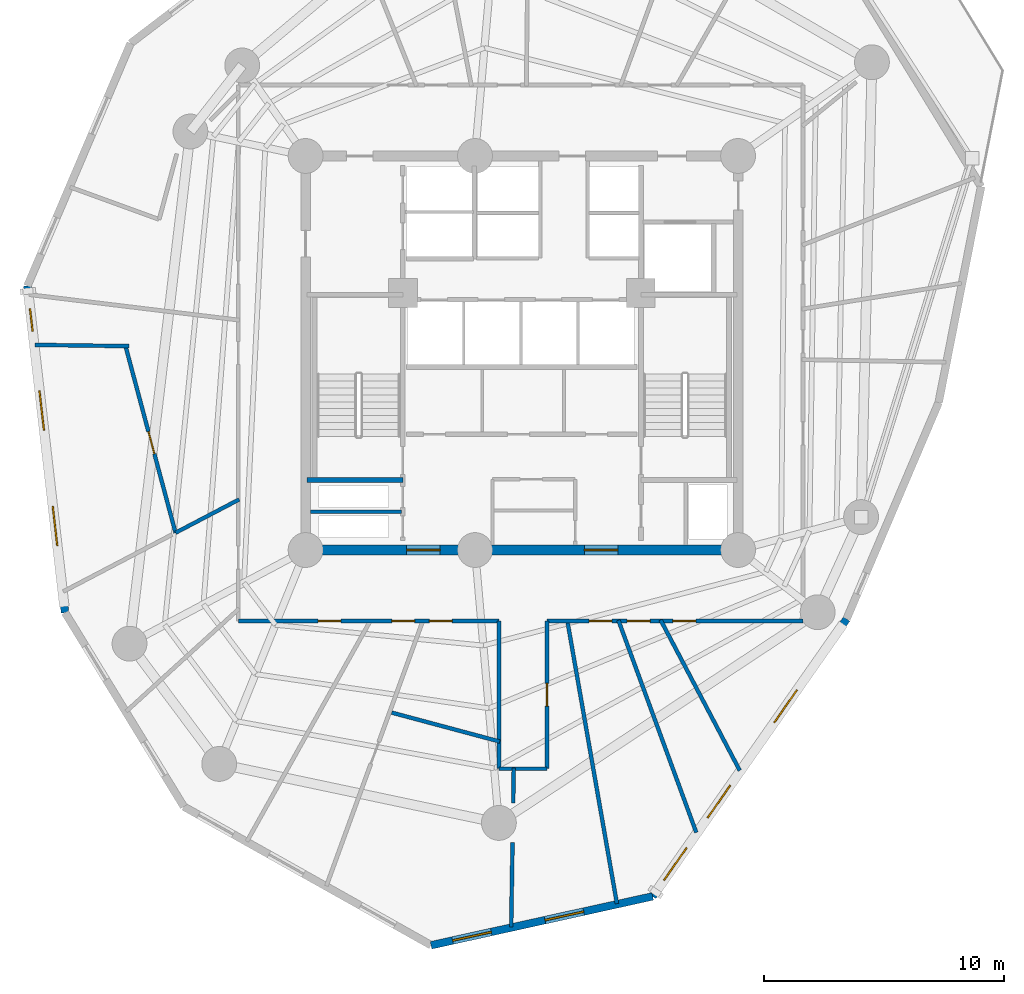
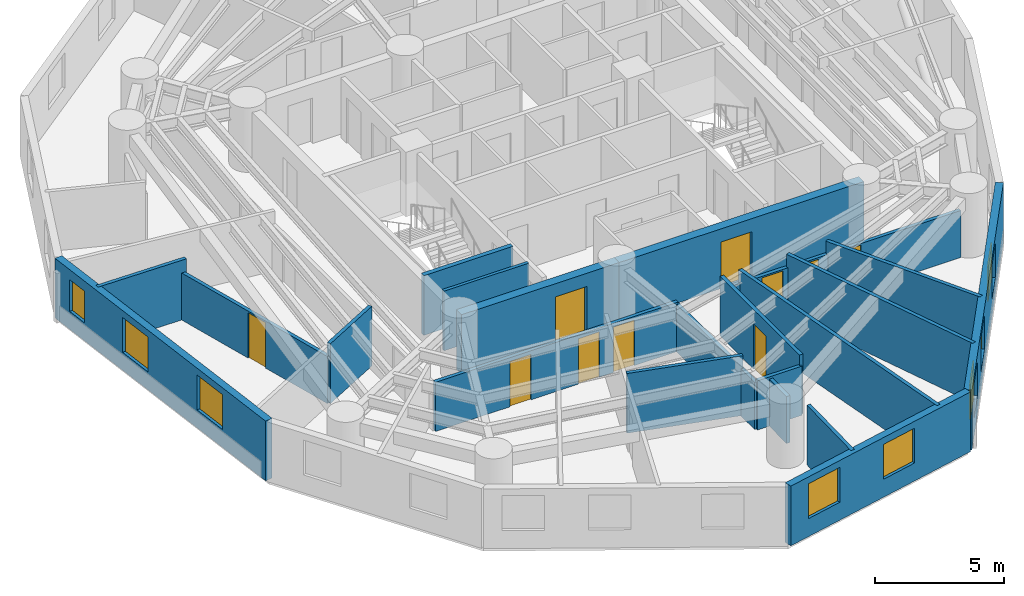
# One storey, part 3 of 9: 21 walls, 10 doors, 8 windows, 18 openings.
"""IFC4 building model written with IfcOpenShell, lengths in metres."""

from ifc_helpers import new_model, si_unit, direction, frame, frame_2d, origin, origin_with_axes, place, context, subcontext, project, spatial, rectangle, extrude, source, transform, mapped, material, layer, layer_set, type_object, element, fill, save


model = new_model("IFC4")

# Units and contexts
model_context = context("Model", 3, precision=1e-05, world=origin(), true_north=direction((0.0, 1.0)))
body_context = subcontext(model_context, "Body", "Model", "MODEL_VIEW")
ifc_project = project(units=[si_unit("LENGTHUNIT", "METRE"), si_unit("AREAUNIT", "SQUARE_METRE"), si_unit("VOLUMEUNIT", "CUBIC_METRE"), si_unit("PLANEANGLEUNIT", "RADIAN"), si_unit("MASSUNIT", "GRAM", prefix="KILO")], contexts=[model_context])

# Site, building, storey
site_placement = place(None, origin())
site = spatial("IfcSite", under=ifc_project, at=site_placement, CompositionType="ELEMENT")
building_placement = place(site_placement, origin())
building = spatial("IfcBuilding", under=site, at=building_placement, Name="Karkom Vertical University and Central Library", CompositionType="ELEMENT")
storey_placement = place(building_placement, frame((0.0, 0.0, 129.75)))
storey = spatial("IfcBuildingStorey", under=building, at=storey_placement, Name="L36", CompositionType="ELEMENT", Elevation=129.75)

# Wall, openings, windows
ifc_material_1 = material(Name="Brick-faced precast concrete C45/55", Category="masonry")
ifc_layer_1 = layer(ifc_material_1, 0.320068359375)
ifc_layer_set_1 = layer_set([ifc_layer_1], Name="Brick-faced precast concrete C45/55")
wall_type_1 = type_object("IfcWallType", Name="ENV-WL-BRK-320", PredefinedType="SOLIDWALL", material=ifc_layer_set_1)
wall_1_placement = place(storey_placement, frame((7.9208984375, 29.293212890625, 0.0), z_axis=(0.0, 0.0, 1.0), x_axis=(0.114427793252, -0.993431567916, 0.0)))
wall_1 = element("IfcWall", 1, at=wall_1_placement, inside=storey, type_object=wall_type_1, Name="Level 36 Brick-Faced Precast Facade Wall 01", PredefinedType="SOLIDWALL", context=body_context, shape_type="SweptSolid", body=[
    extrude(rectangle(XDim=13.68896484375, YDim=0.320068359375, at=frame_2d((6.844482421875, 0.0))), origin(), (0.0, 0.0, 1.0), 2.824951171875),
])
opening_1_placement = place(wall_1_placement, frame((0.9521484375, 0.0, 0.85009765625)))
opening_1 = element("IfcOpeningElement", 2, at=opening_1_placement, cuts=wall_1, Name="Opening WN-12", PredefinedType="OPENING", context=body_context, shape_type="SweptSolid", body=[
    extrude(rectangle(XDim=0.949951171875, YDim=1.5, at=frame_2d((0.47509765625, 0.75))), frame((0.0, 0.169921875, 0.0), z_axis=(0.0, -1.0, 0.0), x_axis=(1.0, 0.0, 0.0)), (0.0, 0.0, 1.0), 0.340087890625),
])
opening_2_placement = place(wall_1_placement, frame((4.393310546875, 0.0, 0.85009765625)))
opening_2 = element("IfcOpeningElement", 3, at=opening_2_placement, cuts=wall_1, Name="Opening WN-06", PredefinedType="OPENING", context=body_context, shape_type="SweptSolid", body=[
    extrude(rectangle(XDim=1.64990234375, YDim=1.64990234375, at=frame_2d((0.824951171875, 0.824951171875))), frame((0.0, 0.169921875, 0.0), z_axis=(0.0, -1.0, 0.0), x_axis=(1.0, 0.0, 0.0)), (0.0, 0.0, 1.0), 0.340087890625),
])
opening_3_placement = place(wall_1_placement, frame((9.23291015625, 0.0, 0.85009765625)))
opening_3 = element("IfcOpeningElement", 4, at=opening_3_placement, cuts=wall_1, Name="Opening WN-06", PredefinedType="OPENING", context=body_context, shape_type="SweptSolid", body=[
    extrude(rectangle(XDim=1.64990234375, YDim=1.64990234375, at=frame_2d((0.824951171875, 0.824951171875))), frame((0.0, 0.169921875, 0.0), z_axis=(0.0, -1.0, 0.0), x_axis=(1.0, 0.0, 0.0)), (0.0, 0.0, 1.0), 0.340087890625),
])
ifc_material_2 = material(Name="Aluminium thermal-break frame with solar-control IGU", Category="aluminium")
window_type_1 = type_object("IfcWindowType", Name="ENV-WIN-WN-06", PartitioningType="SINGLE_PANEL", PredefinedType="WINDOW", material=ifc_material_2)
shared_shape_1 = source(origin_with_axes(), body_context, "Body", "SweptSolid", [
    extrude(rectangle(XDim=1.64990234375, YDim=1.64990234375, at=frame_2d((0.824951171875, 0.824951171875))), frame((0.0, 0.030029296875, 0.0), z_axis=(0.0, -1.0, 0.0), x_axis=(1.0, 0.0, 0.0)), (0.0, 0.0, 1.0), 0.06005859375),
])
window_1_placement = place(opening_2_placement, origin())
window_1 = element("IfcWindow", 5, at=window_1_placement, inside=storey, type_object=window_type_1, Name="Level 36 Punched Window 1.2", OverallHeight=1.64990234375, OverallWidth=1.64990234375, PartitioningType="SINGLE_PANEL", PredefinedType="WINDOW", context=body_context, shape_type="MappedRepresentation", body=[
    mapped(shared_shape_1, transform((0.0, 0.0, 0.0), scale=1.0)),
])
fill(opening_2, window_1)
window_2_placement = place(opening_3_placement, origin())
window_2 = element("IfcWindow", 6, at=window_2_placement, inside=storey, type_object=window_type_1, Name="Level 36 Punched Window 1.3", OverallHeight=1.64990234375, OverallWidth=1.64990234375, PartitioningType="SINGLE_PANEL", PredefinedType="WINDOW", context=body_context, shape_type="MappedRepresentation", body=[
    mapped(shared_shape_1, transform((0.0, 0.0, 0.0), scale=1.0)),
])
fill(opening_3, window_2)
window_type_2 = type_object("IfcWindowType", Name="ENV-WIN-WN-12", PartitioningType="SINGLE_PANEL", PredefinedType="WINDOW", material=ifc_material_2)
shared_shape_2 = source(origin_with_axes(), body_context, "Body", "SweptSolid", [
    extrude(rectangle(XDim=0.949951171875, YDim=1.5, at=frame_2d((0.47509765625, 0.75))), frame((0.0, 0.030029296875, 0.0), z_axis=(0.0, -1.0, 0.0), x_axis=(1.0, 0.0, 0.0)), (0.0, 0.0, 1.0), 0.06005859375),
])
window_3_placement = place(opening_1_placement, origin())
window_3 = element("IfcWindow", 7, at=window_3_placement, inside=storey, type_object=window_type_2, Name="Level 36 Punched Window 1.1", OverallHeight=1.5, OverallWidth=0.949951171875, PartitioningType="SINGLE_PANEL", PredefinedType="WINDOW", context=body_context, shape_type="MappedRepresentation", body=[
    mapped(shared_shape_2, transform((0.0, 0.0, 0.0), scale=1.0)),
])
fill(opening_1, window_3)

wall_2_placement = place(storey_placement, frame((24.720703125, 1.85009765625, 0.0), z_axis=(0.0, 0.0, 1.0), x_axis=(0.976498022173, 0.215526361942, 0.0)))
wall_2 = element("IfcWall", 8, at=wall_2_placement, inside=storey, type_object=wall_type_1, Name="Level 36 Brick-Faced Precast Facade Wall 04", PredefinedType="SOLIDWALL", context=body_context, shape_type="SweptSolid", body=[
    extrude(rectangle(XDim=9.446044921875, YDim=0.320068359375, at=frame_2d((4.72314453125, 0.0))), origin(), (0.0, 0.0, 1.0), 2.824951171875),
])
opening_4_placement = place(wall_2_placement, frame((0.919921875, 0.0, 0.85009765625)))
opening_4 = element("IfcOpeningElement", 9, at=opening_4_placement, cuts=wall_2, Name="Opening WN-06", PredefinedType="OPENING", context=body_context, shape_type="SweptSolid", body=[
    extrude(rectangle(XDim=1.64990234375, YDim=1.64990234375, at=frame_2d((0.824951171875, 0.824951171875))), frame((0.0, 0.169921875, 0.0), z_axis=(0.0, -1.0, 0.0), x_axis=(1.0, 0.0, 0.0)), (0.0, 0.0, 1.0), 0.340087890625),
])
opening_5_placement = place(wall_2_placement, frame((4.85498046875, 0.0, 0.85009765625)))
opening_5 = element("IfcOpeningElement", 10, at=opening_5_placement, cuts=wall_2, Name="Opening WN-06", PredefinedType="OPENING", context=body_context, shape_type="SweptSolid", body=[
    extrude(rectangle(XDim=1.64990234375, YDim=1.64990234375, at=frame_2d((0.824951171875, 0.824951171875))), frame((0.0, 0.169921875, 0.0), z_axis=(0.0, -1.0, 0.0), x_axis=(1.0, 0.0, 0.0)), (0.0, 0.0, 1.0), 0.340087890625),
])
window_4_placement = place(opening_4_placement, origin())
window_4 = element("IfcWindow", 11, at=window_4_placement, inside=storey, type_object=window_type_1, Name="Level 36 Punched Window 4.1", OverallHeight=1.64990234375, OverallWidth=1.64990234375, PartitioningType="SINGLE_PANEL", PredefinedType="WINDOW", context=body_context, shape_type="MappedRepresentation", body=[
    mapped(shared_shape_1, transform((0.0, 0.0, 0.0), scale=1.0)),
])
fill(opening_4, window_4)
window_5_placement = place(opening_5_placement, origin())
window_5 = element("IfcWindow", 12, at=window_5_placement, inside=storey, type_object=window_type_1, Name="Level 36 Punched Window 4.2", OverallHeight=1.64990234375, OverallWidth=1.64990234375, PartitioningType="SINGLE_PANEL", PredefinedType="WINDOW", context=body_context, shape_type="MappedRepresentation", body=[
    mapped(shared_shape_1, transform((0.0, 0.0, 0.0), scale=1.0)),
])
fill(opening_5, window_5)

wall_3_placement = place(storey_placement, frame((33.94482421875, 3.885986328125, 0.0), z_axis=(0.0, 0.0, 1.0), x_axis=(0.573079618635, 0.819499695366, 0.0)))
wall_3 = element("IfcWall", 13, at=wall_3_placement, inside=storey, type_object=wall_type_1, Name="Level 36 Brick-Faced Precast Facade Wall 05", PredefinedType="SOLIDWALL", context=body_context, shape_type="SweptSolid", body=[
    extrude(rectangle(XDim=14.08740234375, YDim=0.320068359375, at=frame_2d((7.043701171875, 0.0))), origin(), (0.0, 0.0, 1.0), 2.824951171875),
])
opening_6_placement = place(wall_3_placement, frame((0.82421875, 0.0, 0.85009765625)))
opening_6 = element("IfcOpeningElement", 14, at=opening_6_placement, cuts=wall_3, Name="Opening WN-06", PredefinedType="OPENING", context=body_context, shape_type="SweptSolid", body=[
    extrude(rectangle(XDim=1.64990234375, YDim=1.64990234375, at=frame_2d((0.824951171875, 0.824951171875))), frame((0.0, 0.169921875, 0.0), z_axis=(0.0, -1.0, 0.0), x_axis=(1.0, 0.0, 0.0)), (0.0, 0.0, 1.0), 0.340087890625),
])
opening_7_placement = place(wall_3_placement, frame((3.98779296875, 0.0, 0.85009765625)))
opening_7 = element("IfcOpeningElement", 15, at=opening_7_placement, cuts=wall_3, Name="Opening WN-06", PredefinedType="OPENING", context=body_context, shape_type="SweptSolid", body=[
    extrude(rectangle(XDim=1.64990234375, YDim=1.64990234375, at=frame_2d((0.824951171875, 0.824951171875))), frame((0.0, 0.169921875, 0.0), z_axis=(0.0, -1.0, 0.0), x_axis=(1.0, 0.0, 0.0)), (0.0, 0.0, 1.0), 0.340087890625),
])
opening_8_placement = place(wall_3_placement, frame((8.8271484375, 0.0, 0.85009765625)))
opening_8 = element("IfcOpeningElement", 16, at=opening_8_placement, cuts=wall_3, Name="Opening WN-06", PredefinedType="OPENING", context=body_context, shape_type="SweptSolid", body=[
    extrude(rectangle(XDim=1.64990234375, YDim=1.64990234375, at=frame_2d((0.824951171875, 0.824951171875))), frame((0.0, 0.169921875, 0.0), z_axis=(0.0, -1.0, 0.0), x_axis=(1.0, 0.0, 0.0)), (0.0, 0.0, 1.0), 0.340087890625),
])
window_6_placement = place(opening_6_placement, origin())
window_6 = element("IfcWindow", 17, at=window_6_placement, inside=storey, type_object=window_type_1, Name="Level 36 Punched Window 5.1", OverallHeight=1.64990234375, OverallWidth=1.64990234375, PartitioningType="SINGLE_PANEL", PredefinedType="WINDOW", context=body_context, shape_type="MappedRepresentation", body=[
    mapped(shared_shape_1, transform((0.0, 0.0, 0.0), scale=1.0)),
])
fill(opening_6, window_6)
window_7_placement = place(opening_7_placement, origin())
window_7 = element("IfcWindow", 18, at=window_7_placement, inside=storey, type_object=window_type_1, Name="Level 36 Punched Window 5.2", OverallHeight=1.64990234375, OverallWidth=1.64990234375, PartitioningType="SINGLE_PANEL", PredefinedType="WINDOW", context=body_context, shape_type="MappedRepresentation", body=[
    mapped(shared_shape_1, transform((0.0, 0.0, 0.0), scale=1.0)),
])
fill(opening_7, window_7)
window_8_placement = place(opening_8_placement, origin())
window_8 = element("IfcWindow", 19, at=window_8_placement, inside=storey, type_object=window_type_1, Name="Level 36 Punched Window 5.3", OverallHeight=1.64990234375, OverallWidth=1.64990234375, PartitioningType="SINGLE_PANEL", PredefinedType="WINDOW", context=body_context, shape_type="MappedRepresentation", body=[
    mapped(shared_shape_1, transform((0.0, 0.0, 0.0), scale=1.0)),
])
fill(opening_8, window_8)

# Wall
ifc_material_3 = material(Name="Insulated metal-stud drywall 160mm", Category="gypsum")
ifc_layer_2 = layer(ifc_material_3, 0.159912109375)
ifc_layer_set_2 = layer_set([ifc_layer_2], Name="Insulated metal-stud drywall 160mm")
wall_type_2 = type_object("IfcWallType", Name="INT-WL-COR-160", PredefinedType="PARTITIONING", material=ifc_layer_set_2)
wall_4_placement = place(storey_placement, frame((30.38916015625, 15.37939453125, 0.0), z_axis=(0.0, 0.0, 1.0), x_axis=(0.172707184879, -0.984973211966, 0.0)))
element("IfcWall", 20, at=wall_4_placement, inside=storey, type_object=wall_type_2, Name="Level 36 Interior Partition Wall L36-PW-012", PredefinedType="PARTITIONING", context=body_context, shape_type="SweptSolid", body=[
    extrude(rectangle(XDim=11.97607421875, YDim=0.159912109375, at=frame_2d((5.988037109375, 0.0))), origin(), (0.0, 0.0, 1.0), 2.824951171875),
])

# Wall, openings, doors
wall_5_placement = place(storey_placement, frame((27.550048828125, 15.35009765625, 0.0), z_axis=(0.0, 0.0, 1.0), x_axis=(-1.0, 0.0, 0.0)))
wall_5 = element("IfcWall", 21, at=wall_5_placement, inside=storey, type_object=wall_type_2, Name="Level 36 Interior Partition Wall L36-CORW-CW-001", PredefinedType="PARTITIONING", context=body_context, shape_type="SweptSolid", body=[
    extrude(rectangle(XDim=10.85009765625, YDim=0.159912109375, at=frame_2d((5.425048828125, 0.0))), origin(), (0.0, 0.0, 1.0), 2.324951171875),
])
opening_9_placement = place(wall_5_placement, frame((6.577392578125, 0.0, 0.0)))
opening_9 = element("IfcOpeningElement", 22, at=opening_9_placement, cuts=wall_5, Name="Opening D-RM1", PredefinedType="OPENING", context=body_context, shape_type="SweptSolid", body=[
    extrude(rectangle(XDim=0.949951171875, YDim=2.14990234375, at=frame_2d((0.47509765625, 1.074951171875))), frame((0.0, 0.08984375, 0.0), z_axis=(0.0, -1.0, 0.0), x_axis=(1.0, 0.0, 0.0)), (0.0, 0.0, 1.0), 0.179931640625),
])
opening_10_placement = place(wall_5_placement, frame((3.512451171875, 0.0, 0.0)))
opening_10 = element("IfcOpeningElement", 23, at=opening_10_placement, cuts=wall_5, Name="Opening D-RM1", PredefinedType="OPENING", context=body_context, shape_type="SweptSolid", body=[
    extrude(rectangle(XDim=0.949951171875, YDim=2.14990234375, at=frame_2d((0.47509765625, 1.074951171875))), frame((0.0, 0.08984375, 0.0), z_axis=(0.0, -1.0, 0.0), x_axis=(1.0, 0.0, 0.0)), (0.0, 0.0, 1.0), 0.179931640625),
])
opening_11_placement = place(wall_5_placement, frame((1.947509765625, 0.0, 0.0)))
opening_11 = element("IfcOpeningElement", 24, at=opening_11_placement, cuts=wall_5, Name="Opening D-RM1", PredefinedType="OPENING", context=body_context, shape_type="SweptSolid", body=[
    extrude(rectangle(XDim=0.949951171875, YDim=2.14990234375, at=frame_2d((0.47509765625, 1.074951171875))), frame((0.0, 0.08984375, 0.0), z_axis=(0.0, -1.0, 0.0), x_axis=(1.0, 0.0, 0.0)), (0.0, 0.0, 1.0), 0.179931640625),
])
ifc_material_4 = material(Name="Solid-core oak veneer door", Category="wood")
door_type_1 = type_object("IfcDoorType", Name="INT-DR-RM1", OperationType="NOTDEFINED", PredefinedType="DOOR", material=ifc_material_4)
shared_shape_3 = source(origin_with_axes(), body_context, "Body", "SweptSolid", [
    extrude(rectangle(XDim=0.949951171875, YDim=2.14990234375, at=frame_2d((0.47509765625, 1.074951171875))), frame((0.0, 0.02490234375, 0.0), z_axis=(0.0, -1.0, 0.0), x_axis=(1.0, 0.0, 0.0)), (0.0, 0.0, 1.0), 0.050048828125),
])
door_1_placement = place(opening_9_placement, origin())
door_1 = element("IfcDoor", 25, at=door_1_placement, inside=storey, type_object=door_type_1, Name="Level 36 Room Entry Door 030", OperationType="SINGLE_SWING_RIGHT", OverallHeight=2.14990234375, OverallWidth=0.949951171875, PredefinedType="DOOR", context=body_context, shape_type="MappedRepresentation", body=[
    mapped(shared_shape_3, transform((0.0, 0.0, 0.0), scale=1.0)),
])
fill(opening_9, door_1)
door_2_placement = place(opening_10_placement, origin())
door_2 = element("IfcDoor", 26, at=door_2_placement, inside=storey, type_object=door_type_1, Name="Level 36 Room Entry Door 040", OperationType="SINGLE_SWING_LEFT", OverallHeight=2.14990234375, OverallWidth=0.949951171875, PredefinedType="DOOR", context=body_context, shape_type="MappedRepresentation", body=[
    mapped(shared_shape_3, transform((0.0, 0.0, 0.0), scale=1.0)),
])
fill(opening_10, door_2)
door_3_placement = place(opening_11_placement, origin())
door_3 = element("IfcDoor", 27, at=door_3_placement, inside=storey, type_object=door_type_1, Name="Level 36 Room Entry Door 050", OperationType="SINGLE_SWING_RIGHT", OverallHeight=2.14990234375, OverallWidth=0.949951171875, PredefinedType="DOOR", context=body_context, shape_type="MappedRepresentation", body=[
    mapped(shared_shape_3, transform((0.0, 0.0, 0.0), scale=1.0)),
])
fill(opening_11, door_3)

wall_6_placement = place(storey_placement, frame((40.199951171875, 15.35009765625, 0.0), z_axis=(0.0, 0.0, 1.0), x_axis=(-1.0, 0.0, 0.0)))
wall_6 = element("IfcWall", 28, at=wall_6_placement, inside=storey, type_object=wall_type_2, Name="Level 36 Interior Partition Wall L36-CORW-CW-005", PredefinedType="PARTITIONING", context=body_context, shape_type="SweptSolid", body=[
    extrude(rectangle(XDim=10.64990234375, YDim=0.159912109375, at=frame_2d((5.324951171875, 0.0))), origin(), (0.0, 0.0, 1.0), 2.22509765625),
])
opening_12_placement = place(wall_6_placement, frame((7.952392578125, 0.0, 0.0)))
opening_12 = element("IfcOpeningElement", 29, at=opening_12_placement, cuts=wall_6, Name="Opening D-RM1", PredefinedType="OPENING", context=body_context, shape_type="SweptSolid", body=[
    extrude(rectangle(XDim=0.949951171875, YDim=2.14990234375, at=frame_2d((0.47509765625, 1.074951171875))), frame((0.0, 0.08984375, 0.0), z_axis=(0.0, -1.0, 0.0), x_axis=(1.0, 0.0, 0.0)), (0.0, 0.0, 1.0), 0.179931640625),
])
opening_13_placement = place(wall_6_placement, frame((6.357421875, 0.0, 0.0)))
opening_13 = element("IfcOpeningElement", 30, at=opening_13_placement, cuts=wall_6, Name="Opening FD-RM2", PredefinedType="OPENING", context=body_context, shape_type="SweptSolid", body=[
    extrude(rectangle(XDim=0.9599609375, YDim=2.14990234375, at=frame_2d((0.47998046875, 1.074951171875))), frame((0.0, 0.08984375, 0.0), z_axis=(0.0, -1.0, 0.0), x_axis=(1.0, 0.0, 0.0)), (0.0, 0.0, 1.0), 0.179931640625),
])
opening_14_placement = place(wall_6_placement, frame((4.4599609375, 0.0, 0.0)))
opening_14 = element("IfcOpeningElement", 31, at=opening_14_placement, cuts=wall_6, Name="Opening D-RM1", PredefinedType="OPENING", context=body_context, shape_type="SweptSolid", body=[
    extrude(rectangle(XDim=0.949951171875, YDim=2.14990234375, at=frame_2d((0.47509765625, 1.074951171875))), frame((0.0, 0.08984375, 0.0), z_axis=(0.0, -1.0, 0.0), x_axis=(1.0, 0.0, 0.0)), (0.0, 0.0, 1.0), 0.179931640625),
])
ifc_material_5 = material(Name="Fire-rated oak veneer door", Category="wood")
door_type_2 = type_object("IfcDoorType", Name="INT-DR-FRM2", OperationType="NOTDEFINED", PredefinedType="DOOR", material=ifc_material_5)
shared_shape_4 = source(origin_with_axes(), body_context, "Body", "SweptSolid", [
    extrude(rectangle(XDim=0.9599609375, YDim=2.14990234375, at=frame_2d((0.47998046875, 1.074951171875))), frame((0.0, 0.02490234375, 0.0), z_axis=(0.0, -1.0, 0.0), x_axis=(1.0, 0.0, 0.0)), (0.0, 0.0, 1.0), 0.050048828125),
])
door_4_placement = place(opening_13_placement, origin())
door_4 = element("IfcDoor", 32, at=door_4_placement, inside=storey, type_object=door_type_2, Name="Level 36 Room Entry Door 090", OperationType="SINGLE_SWING_LEFT", OverallHeight=2.14990234375, OverallWidth=0.9599609375, PredefinedType="DOOR", context=body_context, shape_type="MappedRepresentation", body=[
    mapped(shared_shape_4, transform((0.0, 0.0, 0.0), scale=1.0)),
])
fill(opening_13, door_4)
door_5_placement = place(opening_12_placement, origin())
door_5 = element("IfcDoor", 33, at=door_5_placement, inside=storey, type_object=door_type_1, Name="Level 36 Room Entry Door 080", OperationType="SINGLE_SWING_RIGHT", OverallHeight=2.14990234375, OverallWidth=0.949951171875, PredefinedType="DOOR", context=body_context, shape_type="MappedRepresentation", body=[
    mapped(shared_shape_3, transform((0.0, 0.0, 0.0), scale=1.0)),
])
fill(opening_12, door_5)
door_6_placement = place(opening_14_placement, origin())
door_6 = element("IfcDoor", 34, at=door_6_placement, inside=storey, type_object=door_type_1, Name="Level 36 Room Entry Door 100", OperationType="SINGLE_SWING_RIGHT", OverallHeight=2.14990234375, OverallWidth=0.949951171875, PredefinedType="DOOR", context=body_context, shape_type="MappedRepresentation", body=[
    mapped(shared_shape_3, transform((0.0, 0.0, 0.0), scale=1.0)),
])
fill(opening_14, door_6)

# Wall
wall_7_placement = place(storey_placement, frame((32.517578125, 15.378173828125, 0.0), z_axis=(0.0, 0.0, 1.0), x_axis=(0.344526792854, -0.938776485115, 0.0)))
element("IfcWall", 35, at=wall_7_placement, inside=storey, type_object=wall_type_2, Name="Level 36 Interior Partition Wall L36-PW-013", PredefinedType="PARTITIONING", context=body_context, shape_type="SweptSolid", body=[
    extrude(rectangle(XDim=9.409912109375, YDim=0.159912109375, at=frame_2d((4.705078125, 0.0))), origin(), (0.0, 0.0, 1.0), 2.824951171875),
])

# Wall, opening, door
wall_8_placement = place(storey_placement, frame((14.087646484375, 19.017822265625, 0.0), z_axis=(0.0, 0.0, 1.0), x_axis=(-0.258806942907, 0.965929068981, 0.0)))
wall_8 = element("IfcWall", 36, at=wall_8_placement, inside=storey, type_object=wall_type_2, Name="Level 36 Interior Partition Wall L36-PW-001", PredefinedType="PARTITIONING", context=body_context, shape_type="SweptSolid", body=[
    extrude(rectangle(XDim=7.979736328125, YDim=0.159912109375, at=frame_2d((3.98974609375, 0.0))), origin(), (0.0, 0.0, 1.0), 2.22509765625),
])
opening_15_placement = place(wall_8_placement, frame((3.39794921875, 0.0, 0.0)))
opening_15 = element("IfcOpeningElement", 37, at=opening_15_placement, cuts=wall_8, Name="Opening FD-RM2", PredefinedType="OPENING", context=body_context, shape_type="SweptSolid", body=[
    extrude(rectangle(XDim=0.9599609375, YDim=2.14990234375, at=frame_2d((0.47998046875, 1.074951171875))), frame((0.0, 0.08984375, 0.0), z_axis=(0.0, -1.0, 0.0), x_axis=(1.0, 0.0, 0.0)), (0.0, 0.0, 1.0), 0.179931640625),
])
door_7_placement = place(opening_15_placement, origin())
door_7 = element("IfcDoor", 38, at=door_7_placement, inside=storey, type_object=door_type_2, Name="Level 36 Room Entry Door 010", OperationType="SINGLE_SWING_RIGHT", OverallHeight=2.14990234375, OverallWidth=0.9599609375, PredefinedType="DOOR", context=body_context, shape_type="MappedRepresentation", body=[
    mapped(shared_shape_4, transform((0.0, 0.0, 0.0), scale=1.0)),
])
fill(opening_15, door_7)

# Wall
wall_9_placement = place(storey_placement, frame((34.27490234375, 15.389892578125, 0.0), z_axis=(0.0, 0.0, 1.0), x_axis=(0.465427973784, -0.885085759246, 0.0)))
element("IfcWall", 39, at=wall_9_placement, inside=storey, type_object=wall_type_2, Name="Level 36 Interior Partition Wall L36-PW-014", PredefinedType="PARTITIONING", context=body_context, shape_type="SweptSolid", body=[
    extrude(rectangle(XDim=7.078369140625, YDim=0.159912109375, at=frame_2d((3.5390625, 0.0))), origin(), (0.0, 0.0, 1.0), 2.824951171875),
])

# Wall, opening, door
wall_10_placement = place(storey_placement, frame((29.550048828125, 15.35009765625, 0.0), z_axis=(0.0, 0.0, 1.0), x_axis=(0.0, -1.0, 0.0)))
wall_10 = element("IfcWall", 40, at=wall_10_placement, inside=storey, type_object=wall_type_2, Name="Level 36 Interior Partition Wall L36-CORW-CW-006", PredefinedType="PARTITIONING", context=body_context, shape_type="SweptSolid", body=[
    extrude(rectangle(XDim=6.150146484375, YDim=0.159912109375, at=frame_2d((3.0751953125, 0.0))), origin(), (0.0, 0.0, 1.0), 2.824951171875),
])
opening_16_placement = place(wall_10_placement, frame((2.60009765625, 0.0, 0.0)))
opening_16 = element("IfcOpeningElement", 41, at=opening_16_placement, cuts=wall_10, Name="Opening D-RM1", PredefinedType="OPENING", context=body_context, shape_type="SweptSolid", body=[
    extrude(rectangle(XDim=0.949951171875, YDim=2.14990234375, at=frame_2d((0.47509765625, 1.074951171875))), frame((0.0, 0.08984375, 0.0), z_axis=(0.0, -1.0, 0.0), x_axis=(1.0, 0.0, 0.0)), (0.0, 0.0, 1.0), 0.179931640625),
])
door_8_placement = place(opening_16_placement, origin())
door_8 = element("IfcDoor", 42, at=door_8_placement, inside=storey, type_object=door_type_1, Name="Level 36 Room Entry Door 070", OperationType="SINGLE_SWING_LEFT", OverallHeight=2.14990234375, OverallWidth=0.949951171875, PredefinedType="DOOR", context=body_context, shape_type="MappedRepresentation", body=[
    mapped(shared_shape_3, transform((0.0, 0.0, 0.0), scale=1.0)),
])
fill(opening_16, door_8)

# Walls
wall_11_placement = place(storey_placement, frame((27.550048828125, 9.199951171875, 0.0), z_axis=(0.0, 0.0, 1.0), x_axis=(0.0, 1.0, 0.0)))
element("IfcWall", 43, at=wall_11_placement, inside=storey, type_object=wall_type_2, Name="Level 36 Interior Partition Wall L36-CORW-CW-008", PredefinedType="PARTITIONING", context=body_context, shape_type="SweptSolid", body=[
    extrude(rectangle(XDim=6.150146484375, YDim=0.159912109375, at=frame_2d((3.0751953125, 0.0))), origin(), (0.0, 0.0, 1.0), 2.22509765625),
])
wall_12_placement = place(storey_placement, frame((27.5791015625, 10.32958984375, 0.0), z_axis=(0.0, 0.0, 1.0), x_axis=(-0.965933068413, 0.258792015614, 0.0)))
element("IfcWall", 44, at=wall_12_placement, inside=storey, type_object=wall_type_2, Name="Level 36 Interior Partition Wall L36-PW-009", PredefinedType="PARTITIONING", context=body_context, shape_type="SweptSolid", body=[
    extrude(rectangle(XDim=4.65478515625, YDim=0.159912109375, at=frame_2d((2.327392578125, 0.0))), origin(), (0.0, 0.0, 1.0), 2.824951171875),
])
wall_13_placement = place(storey_placement, frame((12.158935546875, 26.784423828125, 0.0), z_axis=(0.0, 0.0, 1.0), x_axis=(-0.999905743527, 0.013729678119, 0.0)))
element("IfcWall", 45, at=wall_13_placement, inside=storey, type_object=wall_type_2, Name="Level 36 Interior Partition Wall L36-PW-002", PredefinedType="PARTITIONING", context=body_context, shape_type="SweptSolid", body=[
    extrude(rectangle(XDim=3.929931640625, YDim=0.159912109375, at=frame_2d((1.96484375, 0.0))), origin(), (0.0, 0.0, 1.0), 2.824951171875),
])
wall_14_placement = place(storey_placement, frame((28.112548828125, 6.123046875, 0.0), z_axis=(0.0, 0.0, 1.0), x_axis=(-0.01606749079, -0.999870909538, 0.0)))
element("IfcWall", 46, at=wall_14_placement, inside=storey, type_object=wall_type_2, Name="Level 36 Interior Partition Wall L36-PW-011", PredefinedType="PARTITIONING", context=body_context, shape_type="SweptSolid", body=[
    extrude(rectangle(XDim=3.510009765625, YDim=0.159912109375, at=frame_2d((1.7548828125, 0.0))), origin(), (0.0, 0.0, 1.0), 2.824951171875),
])
wall_15_placement = place(storey_placement, frame((16.739990234375, 20.4072265625, 0.0), z_axis=(0.0, 0.0, 1.0), x_axis=(-0.885820363554, -0.464028321887, 0.0)))
element("IfcWall", 47, at=wall_15_placement, inside=storey, type_object=wall_type_2, Name="Level 36 Interior Partition Wall L36-PW-003", PredefinedType="PARTITIONING", context=body_context, shape_type="SweptSolid", body=[
    extrude(rectangle(XDim=2.994140625, YDim=0.159912109375, at=frame_2d((1.4970703125, 0.0))), origin(), (0.0, 0.0, 1.0), 2.824951171875),
])
wall_16_placement = place(storey_placement, frame((29.550048828125, 9.199951171875, 0.0), z_axis=(0.0, 0.0, 1.0), x_axis=(-1.0, 0.0, 0.0)))
element("IfcWall", 48, at=wall_16_placement, inside=storey, type_object=wall_type_2, Name="Level 36 Interior Partition Wall L36-CORW-CW-007", PredefinedType="PARTITIONING", context=body_context, shape_type="SweptSolid", body=[
    extrude(rectangle(XDim=2.0, YDim=0.159912109375, at=frame_2d((1.0, 0.0))), origin(), (0.0, 0.0, 1.0), 2.324951171875),
])
wall_17_placement = place(storey_placement, frame((28.16259765625, 9.22998046875, 0.0), z_axis=(0.0, 0.0, 1.0), x_axis=(-0.016140350208, -0.999869736063, 0.0)))
element("IfcWall", 49, at=wall_17_placement, inside=storey, type_object=wall_type_2, Name="Level 36 Interior Partition Wall L36-PW-010", PredefinedType="PARTITIONING", context=body_context, shape_type="SweptSolid", body=[
    extrude(rectangle(XDim=1.46728515625, YDim=0.159912109375, at=frame_2d((0.733642578125, 0.0))), origin(), (0.0, 0.0, 1.0), 2.22509765625),
])
ifc_material_6 = material(Name="Metal-stud gypsum partition 140mm", Category="gypsum")
ifc_layer_3 = layer(ifc_material_6, 0.139892578125)
ifc_layer_set_3 = layer_set([ifc_layer_3], Name="Metal-stud gypsum partition 140mm")
wall_type_3 = type_object("IfcWallType", Name="INT-WL-SUB-140H", PredefinedType="PARTITIONING", material=ifc_layer_set_3)
wall_18_placement = place(storey_placement, frame((19.70703125, 19.889892578125, 0.0), z_axis=(0.0, 0.0, 1.0), x_axis=(1.0, 0.0, 0.0)))
element("IfcWall", 50, at=wall_18_placement, inside=storey, type_object=wall_type_3, Name="Level 36 Interior Partition Wall L36-CW-RIS-W", PredefinedType="PARTITIONING", context=body_context, shape_type="SweptSolid", body=[
    extrude(rectangle(XDim=3.789794921875, YDim=0.139892578125, at=frame_2d((1.89501953125, 0.0))), origin(), (0.0, 0.0, 1.0), 2.824951171875),
])

# Wall, opening, door
ifc_material_7 = material(Name="Concrete C50/60", Category="concrete")
ifc_layer_4 = layer(ifc_material_7, 0.39990234375)
ifc_layer_set_4 = layer_set([ifc_layer_4], Name="Concrete C50/60")
wall_type_4 = type_object("IfcWallType", Name="STR-WL-CW-400", PredefinedType="SHEAR", material=ifc_layer_set_4)
wall_19_placement = place(storey_placement, frame((19.5, 18.300048828125, 0.0), z_axis=(0.0, 0.0, 1.0), x_axis=(1.0, 0.0, 0.0)))
wall_19 = element("IfcWall", 51, at=wall_19_placement, inside=storey, type_object=wall_type_4, Name="Level 36 Central Core Shear Wall SW1", PredefinedType="SHEAR", context=body_context, shape_type="SweptSolid", body=[
    extrude(rectangle(XDim=7.050048828125, YDim=0.39990234375, at=frame_2d((3.52490234375, 0.0))), origin(), (0.0, 0.0, 1.0), 2.824951171875),
])
opening_17_placement = place(wall_19_placement, frame((4.199951171875, 0.0, 0.0)))
opening_17 = element("IfcOpeningElement", 52, at=opening_17_placement, cuts=wall_19, Name="Opening FD-CLB", PredefinedType="OPENING", context=body_context, shape_type="SweptSolid", body=[
    extrude(rectangle(XDim=1.39990234375, YDim=2.199951171875, at=frame_2d((0.699951171875, 1.10009765625))), frame((0.0, 0.2099609375, 0.0), z_axis=(0.0, -1.0, 0.0), x_axis=(1.0, 0.0, 0.0)), (0.0, 0.0, 1.0), 0.419921875),
])
ifc_material_8 = material(Name="Painted steel fire door", Category="steel")
door_type_3 = type_object("IfcDoorType", Name="INT-DR-CLB", OperationType="DOUBLE_DOOR_SINGLE_SWING", PredefinedType="DOOR", material=ifc_material_8)
shared_shape_5 = source(origin_with_axes(), body_context, "Body", "SweptSolid", [
    extrude(rectangle(XDim=1.39990234375, YDim=2.199951171875, at=frame_2d((0.699951171875, 1.10009765625))), frame((0.0, 0.02490234375, 0.0), z_axis=(0.0, -1.0, 0.0), x_axis=(1.0, 0.0, 0.0)), (0.0, 0.0, 1.0), 0.050048828125),
])
door_9_placement = place(opening_17_placement, origin())
door_9 = element("IfcDoor", 53, at=door_9_placement, inside=storey, type_object=door_type_3, Name="Level 36 South Core Lobby West Exit Door", OperationType="DOUBLE_DOOR_SINGLE_SWING", OverallHeight=2.199951171875, OverallWidth=1.39990234375, PredefinedType="DOOR", context=body_context, shape_type="MappedRepresentation", body=[
    mapped(shared_shape_5, transform((0.0, 0.0, 0.0), scale=1.0)),
])
fill(opening_17, door_9)

wall_20_placement = place(storey_placement, frame((26.550048828125, 18.300048828125, 0.0), z_axis=(0.0, 0.0, 1.0), x_axis=(1.0, 0.0, 0.0)))
wall_20 = element("IfcWall", 54, at=wall_20_placement, inside=storey, type_object=wall_type_4, Name="Level 36 Central Core Shear Wall SW2", PredefinedType="SHEAR", context=body_context, shape_type="SweptSolid", body=[
    extrude(rectangle(XDim=10.949951171875, YDim=0.39990234375, at=frame_2d((5.47509765625, 0.0))), origin(), (0.0, 0.0, 1.0), 2.824951171875),
])
opening_18_placement = place(wall_20_placement, frame((4.550048828125, 0.0, 0.0)))
opening_18 = element("IfcOpeningElement", 55, at=opening_18_placement, cuts=wall_20, Name="Opening FD-CLB", PredefinedType="OPENING", context=body_context, shape_type="SweptSolid", body=[
    extrude(rectangle(XDim=1.39990234375, YDim=2.199951171875, at=frame_2d((0.699951171875, 1.10009765625))), frame((0.0, 0.2099609375, 0.0), z_axis=(0.0, -1.0, 0.0), x_axis=(1.0, 0.0, 0.0)), (0.0, 0.0, 1.0), 0.419921875),
])
door_10_placement = place(opening_18_placement, origin())
door_10 = element("IfcDoor", 56, at=door_10_placement, inside=storey, type_object=door_type_3, Name="Level 36 South Core Lobby East Exit Door", OperationType="DOUBLE_DOOR_SINGLE_SWING", OverallHeight=2.199951171875, OverallWidth=1.39990234375, PredefinedType="DOOR", context=body_context, shape_type="MappedRepresentation", body=[
    mapped(shared_shape_5, transform((0.0, 0.0, 0.0), scale=1.0)),
])
fill(opening_18, door_10)

# Wall
ifc_material_9 = material(Name="Concrete C45/55", Category="concrete")
ifc_layer_5 = layer(ifc_material_9, 0.199951171875)
ifc_layer_set_5 = layer_set([ifc_layer_5], Name="Concrete C45/55")
wall_type_5 = type_object("IfcWallType", Name="STR-WL-ST-200", PredefinedType="SHEAR", material=ifc_layer_set_5)
wall_21_placement = place(storey_placement, frame((19.550048828125, 21.215087890625, 0.0), z_axis=(0.0, 0.0, 1.0), x_axis=(1.0, 0.0, 0.0)))
element("IfcWall", 57, at=wall_21_placement, inside=storey, type_object=wall_type_5, Name="Level 36 Core Shaft Wall L36-CW-ST1-S", PredefinedType="SHEAR", context=body_context, shape_type="SweptSolid", body=[
    extrude(rectangle(XDim=3.994873046875, YDim=0.199951171875, at=frame_2d((1.99755859375, 0.0))), origin(), (0.0, 0.0, 1.0), 2.824951171875),
])

save(model, "model.ifc")
